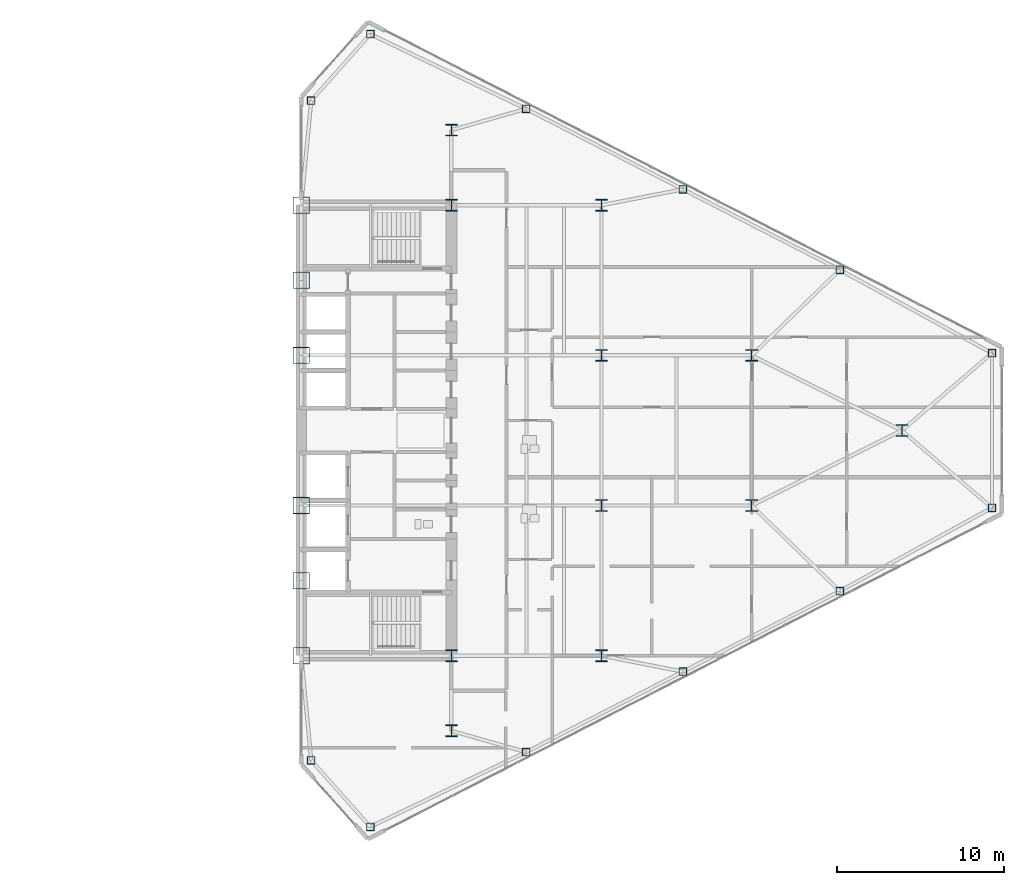
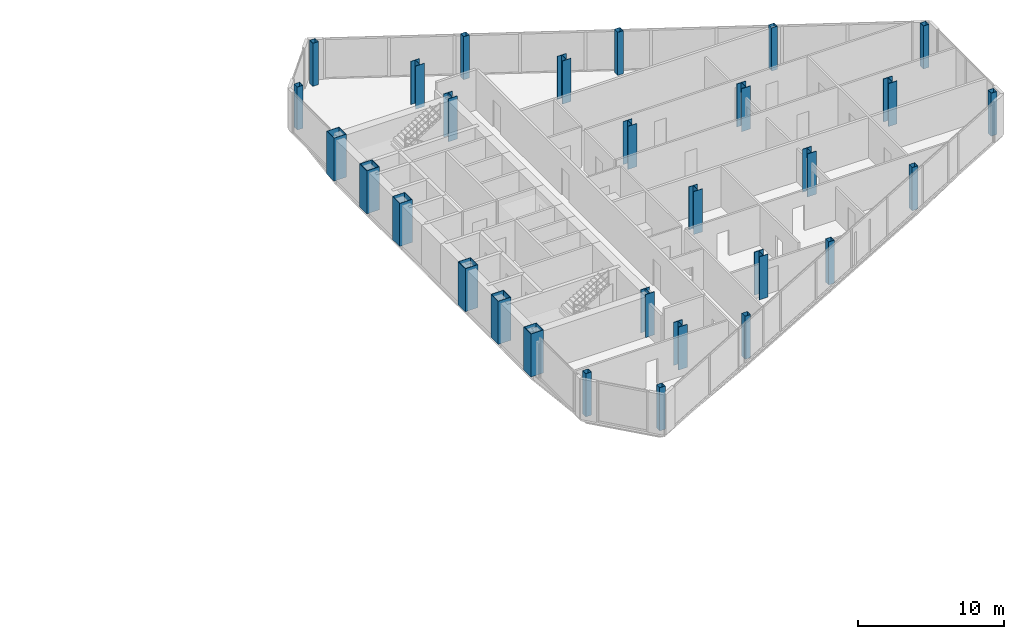
# One storey, part 2 of 24: 29 columns.
"""IFC4 building model written with IfcOpenShell, lengths in metres."""

from ifc_helpers import new_model, si_unit, direction, frame, origin, origin_2d, place, context, subcontext, project, spatial, hollow_rectangle, i_section, extrude, source, transform, mapped, material, material_profile, profile_set, type_object, type_shapes, element, save


model = new_model("IFC4")

# Units and contexts
model_context = context("Model", 3, precision=1e-05, world=origin(), true_north=direction((0.0, 1.0)))
body_context = subcontext(model_context, "Body", "Model", "MODEL_VIEW")
ifc_project = project(units=[si_unit("LENGTHUNIT", "METRE"), si_unit("AREAUNIT", "SQUARE_METRE"), si_unit("VOLUMEUNIT", "CUBIC_METRE"), si_unit("PLANEANGLEUNIT", "RADIAN"), si_unit("MASSUNIT", "GRAM", prefix="KILO")], contexts=[model_context])

# Site, building, storey
site_placement = place(None, origin())
site = spatial("IfcSite", under=ifc_project, at=site_placement, CompositionType="ELEMENT")
building_placement = place(site_placement, origin())
building = spatial("IfcBuilding", under=site, at=building_placement, Name="Seokmaru Belvedere", CompositionType="ELEMENT")
storey_placement = place(building_placement, frame((0.0, 0.0, 121.199951171875)))
storey = spatial("IfcBuildingStorey", under=building, at=storey_placement, Name="L32", CompositionType="ELEMENT", Elevation=121.199951171875)

# Columns
ifc_material_1 = material(Name="Steel HSA650 (650 MPa)", Category="steel")
ifc_material_profile_1 = material_profile(ifc_material_1, hollow_rectangle(XDim=1.0, YDim=1.0, WallThickness=0.0419921875, at=origin_2d()), Name="BOX-1000x1000x42")
ifc_profile_set_1 = profile_set([ifc_material_profile_1], Name="Steel HSA650 (650 MPa)")
column_type_1 = type_object("IfcColumnType", Name="Portal Spine Column BOX-1000", PredefinedType="COLUMN", material=ifc_profile_set_1)
shared_shape_1 = source(origin(), body_context, "Body", "SweptSolid", [
    extrude(hollow_rectangle(XDim=1.0, YDim=1.0, WallThickness=0.0419921875, at=origin_2d()), origin(), (0.0, 0.0, 1.0), 3.60009765625),
])
type_shapes(column_type_1, [shared_shape_1])
for number, where, z_axis, x_axis, name in (
    (1, (27.5, -13.5, 0.0), (0.0, 0.0, 1.0), (1.0, 0.0, 0.0), "L32 Column ES1"),
    (2, (27.5, -9.0, 0.0), (0.0, 0.0, 1.0), (1.0, 0.0, 0.0), "L32 Column ES2"),
    (3, (27.5, -4.5, 0.0), (0.0, 0.0, 1.0), (1.0, 0.0, 0.0), "L32 Column ES3"),
    (4, (27.5, 4.5, 0.0), (0.0, 0.0, 1.0), (1.0, 0.0, 0.0), "L32 Column ES4"),
    (5, (27.5, 9.0, 0.0), (0.0, 0.0, 1.0), (1.0, 0.0, 0.0), "L32 Column ES5"),
    (6, (27.5, 13.5, 0.0), (0.0, 0.0, 1.0), (1.0, 0.0, 0.0), "L32 Column ES6"),
):
    element("IfcColumn", number, at=place(storey_placement, frame(where, z_axis=z_axis, x_axis=x_axis)), inside=storey, type_object=column_type_1, Name=name, PredefinedType="COLUMN", context=body_context, shape_type="MappedRepresentation", body=[
        mapped(shared_shape_1, transform((0.0, 0.0, 0.0), scale=1.0)),
    ])
ifc_material_2 = material(Name="Steel SM355 (355 MPa)", Category="steel")
ifc_material_profile_2 = material_profile(ifc_material_2, i_section(OverallWidth=0.699951171875, OverallDepth=0.699951171875, WebThickness=0.028076171875, FlangeThickness=0.044921875, at=origin_2d()), Name="H-700x700x28x45")
ifc_profile_set_2 = profile_set([ifc_material_profile_2], Name="Steel SM355 (355 MPa)")
column_type_2 = type_object("IfcColumnType", Name="Mid Interior Column H-700", PredefinedType="COLUMN", material=ifc_profile_set_2)
shared_shape_2 = source(origin(), body_context, "Body", "SweptSolid", [
    extrude(i_section(OverallWidth=0.699951171875, OverallDepth=0.699951171875, WebThickness=0.028076171875, FlangeThickness=0.044921875, at=origin_2d()), origin(), (0.0, 0.0, 1.0), 3.60009765625),
])
type_shapes(column_type_2, [shared_shape_2])
for number, where, z_axis, x_axis, name in (
    (7, (36.5, -18.0, 0.0), (0.0, 0.0, 1.0), (1.0, 0.0, 0.0), "L32 Column EC1"),
    (8, (36.5, -13.5, 0.0), (0.0, 0.0, 1.0), (1.0, 0.0, 0.0), "L32 Column EC2"),
    (9, (36.5, 13.5, 0.0), (0.0, 0.0, 1.0), (1.0, 0.0, 0.0), "L32 Column EC3"),
    (10, (36.5, 18.0, 0.0), (0.0, 0.0, 1.0), (1.0, 0.0, 0.0), "L32 Column EC4"),
    (11, (45.5, -13.5, 0.0), (0.0, 0.0, 1.0), (1.0, 0.0, 0.0), "L32 Column EG5_1"),
    (12, (45.5, -4.5, 0.0), (0.0, 0.0, 1.0), (1.0, 0.0, 0.0), "L32 Column EG5_2"),
    (13, (45.5, 4.5, 0.0), (0.0, 0.0, 1.0), (1.0, 0.0, 0.0), "L32 Column EG5_3"),
    (14, (45.5, 13.5, 0.0), (0.0, 0.0, 1.0), (1.0, 0.0, 0.0), "L32 Column EG5_4"),
    (15, (54.5, -4.5, 0.0), (0.0, 0.0, 1.0), (1.0, 0.0, 0.0), "L32 Column EG4P_1"),
    (16, (54.5, 4.5, 0.0), (0.0, 0.0, 1.0), (1.0, 0.0, 0.0), "L32 Column EG4P_2"),
    (17, (63.5, 0.0, 0.0), (0.0, 0.0, 1.0), (1.0, 0.0, 0.0), "L32 Column EG3P_1"),
):
    element("IfcColumn", number, at=place(storey_placement, frame(where, z_axis=z_axis, x_axis=x_axis)), inside=storey, type_object=column_type_2, Name=name, PredefinedType="COLUMN", context=body_context, shape_type="MappedRepresentation", body=[
        mapped(shared_shape_2, transform((0.0, 0.0, 0.0), scale=1.0)),
    ])
ifc_material_profile_3 = material_profile(ifc_material_2, hollow_rectangle(XDim=0.449951171875, YDim=0.449951171875, WallThickness=0.01806640625, at=origin_2d()), Name="HSS-450x450x18")
ifc_profile_set_3 = profile_set([ifc_material_profile_3], Name="Steel SM355 (355 MPa)")
column_type_3 = type_object("IfcColumnType", Name="Perimeter Facet Column HSS-450", PredefinedType="COLUMN", material=ifc_profile_set_3)
shared_shape_3 = source(origin(), body_context, "Body", "SweptSolid", [
    extrude(hollow_rectangle(XDim=0.449951171875, YDim=0.449951171875, WallThickness=0.01806640625, at=origin_2d()), origin(), (0.0, 0.0, 1.0), 3.60009765625),
])
type_shapes(column_type_3, [shared_shape_3])
for number, where, z_axis, x_axis, name in (
    (18, (31.6396484375, -23.75390625, 0.0), (0.0, 0.0, 1.0), (1.0, 0.0, 0.0), "L32 Column EF1"),
    (19, (68.89990234375, -4.633544921875, 0.0), (0.0, 0.0, 1.0), (1.0, 0.0, 0.0), "L32 Column EF2"),
    (20, (68.89990234375, 4.633544921875, 0.0), (0.0, 0.0, 1.0), (1.0, 0.0, 0.0), "L32 Column EF3"),
    (21, (31.6396484375, 23.75390625, 0.0), (0.0, 0.0, 1.0), (1.0, 0.0, 0.0), "L32 Column EF4"),
    (22, (28.10009765625, 19.77197265625, 0.0), (0.0, 0.0, 1.0), (1.0, 0.0, 0.0), "L32 Column EF5"),
    (23, (28.10009765625, -19.77197265625, 0.0), (0.0, 0.0, 1.0), (1.0, 0.0, 0.0), "L32 Column EF6"),
    (24, (40.975830078125, -19.277587890625, 0.0), (0.0, 0.0, 1.0), (1.0, 0.0, 0.0), "L32 Column EFLK_S1"),
    (25, (50.377197265625, -14.453369140625, 0.0), (0.0, 0.0, 1.0), (1.0, 0.0, 0.0), "L32 Column EFLK_S2"),
    (26, (59.778564453125, -9.62890625, 0.0), (0.0, 0.0, 1.0), (1.0, 0.0, 0.0), "L32 Column EFLK_S3"),
    (27, (40.975830078125, 19.277587890625, 0.0), (0.0, 0.0, 1.0), (1.0, 0.0, 0.0), "L32 Column EFLK_N1"),
    (28, (50.377197265625, 14.453369140625, 0.0), (0.0, 0.0, 1.0), (1.0, 0.0, 0.0), "L32 Column EFLK_N2"),
    (29, (59.778564453125, 9.62890625, 0.0), (0.0, 0.0, 1.0), (1.0, 0.0, 0.0), "L32 Column EFLK_N3"),
):
    element("IfcColumn", number, at=place(storey_placement, frame(where, z_axis=z_axis, x_axis=x_axis)), inside=storey, type_object=column_type_3, Name=name, PredefinedType="COLUMN", context=body_context, shape_type="MappedRepresentation", body=[
        mapped(shared_shape_3, transform((0.0, 0.0, 0.0), scale=1.0)),
    ])

save(model, "model.ifc")
